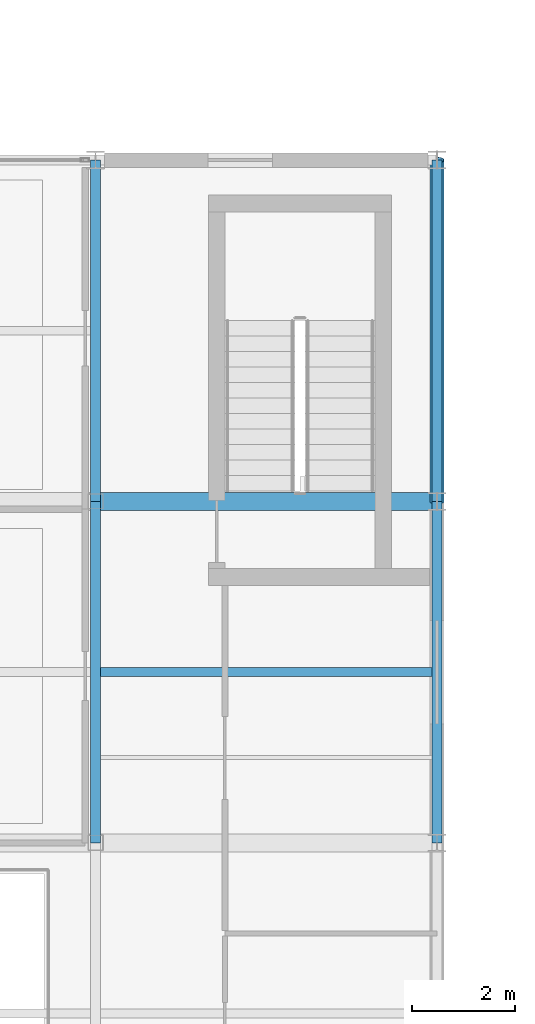
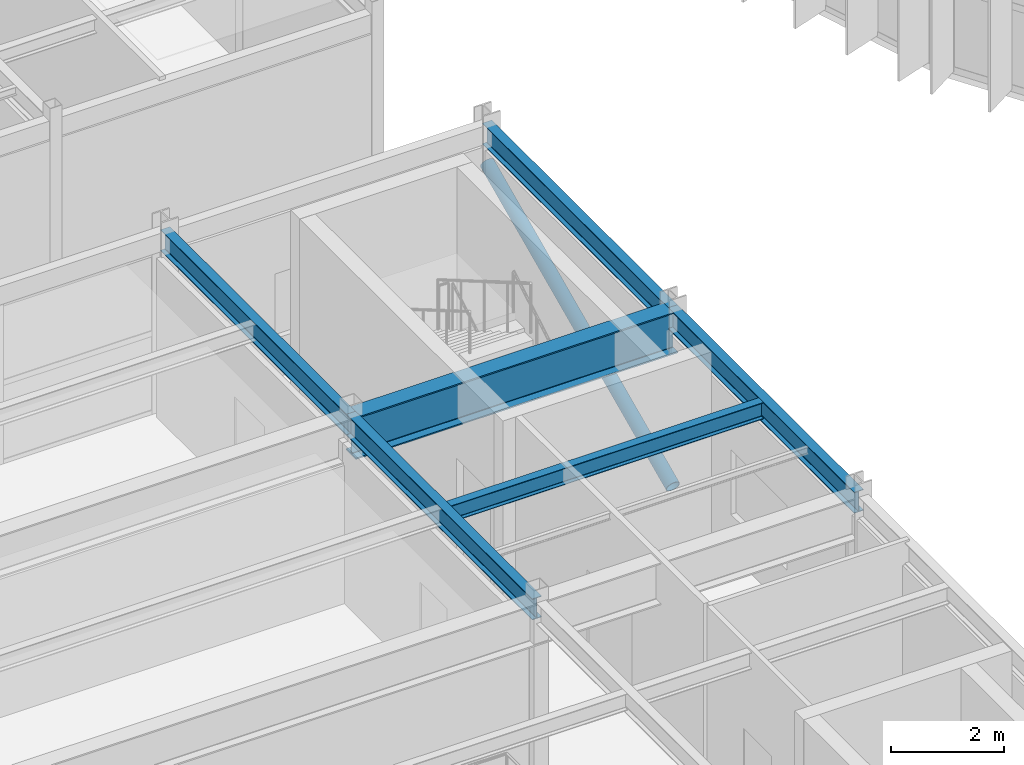
# One storey, part 22 of 148: 6 beams, 1 member.
"""IFC4 building model written with IfcOpenShell, lengths in metres."""

from ifc_helpers import new_model, si_unit, direction, frame, origin, origin_2d, place, context, subcontext, project, spatial, hollow_circle, i_section, extrude, material, material_profile, profile_set, type_object, element, save


model = new_model("IFC4")

# Units and contexts
model_context = context("Model", 3, precision=1e-05, world=origin(), true_north=direction((0.0, 1.0)))
body_context = subcontext(model_context, "Body", "Model", "MODEL_VIEW")
ifc_project = project(units=[si_unit("LENGTHUNIT", "METRE"), si_unit("AREAUNIT", "SQUARE_METRE"), si_unit("VOLUMEUNIT", "CUBIC_METRE"), si_unit("PLANEANGLEUNIT", "RADIAN"), si_unit("MASSUNIT", "GRAM", prefix="KILO")], contexts=[model_context])

# Site, building, storey
site_placement = place(None, origin())
site = spatial("IfcSite", under=ifc_project, at=site_placement, CompositionType="ELEMENT")
building_placement = place(site_placement, origin())
building = spatial("IfcBuilding", under=site, at=building_placement, Name="Karori Crest Natural Sciences Institute", CompositionType="ELEMENT")
storey_placement = place(building_placement, frame((0.0, 0.0, 4.89990234375)))
storey = spatial("IfcBuildingStorey", under=building, at=storey_placement, Name="L01", CompositionType="ELEMENT", Elevation=4.89990234375)

# Beams
ifc_material_1 = material(Name="Structural steel AS/NZS 3679.1 Grade 350", Category="steel")
ifc_material_profile_1 = material_profile(ifc_material_1, i_section(OverallWidth=0.35009765625, OverallDepth=0.907958984375, WebThickness=0.01611328125, FlangeThickness=0.028076171875, FilletRadius=0.01611328125, at=origin_2d()), Name="900WB257")
ifc_profile_set_1 = profile_set([ifc_material_profile_1], Name="Structural steel AS/NZS 3679.1 Grade 350")
beam_type_1 = type_object("IfcBeamType", Name="BT-01", PredefinedType="BEAM", material=ifc_profile_set_1)
beam_1_placement = place(storey_placement, frame((20.60009765625, 20.60009765625, 3.466064453125), z_axis=(1.0, 0.0, 0.0), x_axis=(0.0, 1.0, 0.0)))
element("IfcBeam", 1, at=beam_1_placement, inside=storey, type_object=beam_type_1, Name="Beam B-0820", PredefinedType="BEAM", context=body_context, shape_type="SweptSolid", body=[
    extrude(i_section(OverallWidth=0.35009765625, OverallDepth=0.907958984375, WebThickness=0.01611328125, FlangeThickness=0.028076171875, FilletRadius=0.01611328125, at=origin_2d()), origin(), (0.0, 0.0, 1.0), 6.599853515625),
])
ifc_material_profile_2 = material_profile(ifc_material_1, i_section(OverallWidth=0.19091796875, OverallDepth=0.4599609375, WebThickness=0.010009765625, FlangeThickness=0.01611328125, FilletRadius=0.010986328125, at=origin_2d()), Name="460UB82.1")
ifc_profile_set_2 = profile_set([ifc_material_profile_2], Name="Structural steel AS/NZS 3679.1 Grade 350")
beam_type_2 = type_object("IfcBeamType", Name="BT-06", PredefinedType="BEAM", material=ifc_profile_set_2)
beam_2_placement = place(storey_placement, frame((20.60009765625, 14.0, 3.690185546875), z_axis=(0.0, 1.0, 0.0), x_axis=(-1.0, 0.0, 0.0)))
element("IfcBeam", 2, at=beam_2_placement, inside=storey, type_object=beam_type_2, Name="Beam B-0829", PredefinedType="BEAM", context=body_context, shape_type="SweptSolid", body=[
    extrude(i_section(OverallWidth=0.19091796875, OverallDepth=0.4599609375, WebThickness=0.010009765625, FlangeThickness=0.01611328125, FilletRadius=0.010986328125, at=origin_2d()), origin(), (0.0, 0.0, 1.0), 6.60009765625),
])
beam_3_placement = place(storey_placement, frame((20.60009765625, 20.60009765625, 3.690185546875), z_axis=(0.0, 1.0, 0.0), x_axis=(-1.0, 0.0, 0.0)))
element("IfcBeam", 3, at=beam_3_placement, inside=storey, type_object=beam_type_2, Name="Beam B-0830", PredefinedType="BEAM", context=body_context, shape_type="SweptSolid", body=[
    extrude(i_section(OverallWidth=0.19091796875, OverallDepth=0.4599609375, WebThickness=0.010009765625, FlangeThickness=0.01611328125, FilletRadius=0.010986328125, at=origin_2d()), origin(), (0.0, 0.0, 1.0), 6.599853515625),
])
ifc_material_profile_3 = material_profile(ifc_material_1, i_section(OverallWidth=0.19091796875, OverallDepth=0.4599609375, WebThickness=0.010009765625, FlangeThickness=0.01611328125, FilletRadius=0.010986328125, at=origin_2d()), Name="460UB82.1")
ifc_profile_set_3 = profile_set([ifc_material_profile_3], Name="Structural steel AS/NZS 3679.1 Grade 350")
beam_type_3 = type_object("IfcBeamType", Name="BT-06-EL", PredefinedType="BEAM", material=ifc_profile_set_3)
beam_4_placement = place(storey_placement, frame((27.199951171875, 14.0, 3.690185546875), z_axis=(0.0, 1.0, 0.0), x_axis=(-1.0, 0.0, 0.0)))
element("IfcBeam", 4, at=beam_4_placement, inside=storey, type_object=beam_type_3, Name="Beam B-0833", PredefinedType="BEAM", context=body_context, shape_type="SweptSolid", body=[
    extrude(i_section(OverallWidth=0.19091796875, OverallDepth=0.4599609375, WebThickness=0.010009765625, FlangeThickness=0.01611328125, FilletRadius=0.010986328125, at=origin_2d()), origin(), (0.0, 0.0, 1.0), 6.60009765625),
])
beam_5_placement = place(storey_placement, frame((27.199951171875, 20.60009765625, 3.690185546875), z_axis=(0.0, 1.0, 0.0), x_axis=(-1.0, 0.0, 0.0)))
element("IfcBeam", 5, at=beam_5_placement, inside=storey, type_object=beam_type_3, Name="Beam B-0834", PredefinedType="BEAM", context=body_context, shape_type="SweptSolid", body=[
    extrude(i_section(OverallWidth=0.19091796875, OverallDepth=0.4599609375, WebThickness=0.010009765625, FlangeThickness=0.01611328125, FilletRadius=0.010986328125, at=origin_2d()), origin(), (0.0, 0.0, 1.0), 6.599853515625),
])
ifc_material_profile_4 = material_profile(ifc_material_1, i_section(OverallWidth=0.172119140625, OverallDepth=0.35888671875, WebThickness=0.008056640625, FlangeThickness=0.012939453125, FilletRadius=0.010986328125, at=origin_2d()), Name="360UB56.7")
ifc_profile_set_4 = profile_set([ifc_material_profile_4], Name="Structural steel AS/NZS 3679.1 Grade 350")
beam_type_4 = type_object("IfcBeamType", Name="BT-08", PredefinedType="BEAM", material=ifc_profile_set_4)
beam_6_placement = place(storey_placement, frame((20.695556640625, 17.300048828125, 3.740478515625), z_axis=(1.0, 0.0, 0.0), x_axis=(0.0, 1.0, 0.0)))
element("IfcBeam", 6, at=beam_6_placement, inside=storey, type_object=beam_type_4, Name="Beam B-0841", PredefinedType="BEAM", context=body_context, shape_type="SweptSolid", body=[
    extrude(i_section(OverallWidth=0.172119140625, OverallDepth=0.35888671875, WebThickness=0.008056640625, FlangeThickness=0.012939453125, FilletRadius=0.010986328125, at=origin_2d()), origin(), (0.0, 0.0, 1.0), 6.408935546875),
])

# Member
ifc_material_2 = material(Name="Hollow structural steel AS/NZS 1163 Grade C350", Category="steel")
ifc_material_profile_5 = material_profile(ifc_material_2, hollow_circle(Radius=0.136474609375, WallThickness=0.00927734375, at=origin_2d()), Name="CHS273.0x9.3")
ifc_profile_set_5 = profile_set([ifc_material_profile_5], Name="Hollow structural steel AS/NZS 1163 Grade C350")
member_type = type_object("IfcMemberType", Name="MT-01-EL", PredefinedType="BRACE", material=ifc_profile_set_5)
member_placement = place(storey_placement, frame((27.199951171875, 20.60009765625, 0.010009765625), z_axis=(0.0, 0.909728074664, 0.415204564244), x_axis=(-1.0, 0.0, 0.0)))
element("IfcMember", 7, at=member_placement, inside=storey, type_object=member_type, Name="Diagonal Brace M-0246", PredefinedType="BRACE", context=body_context, shape_type="SweptSolid", body=[
    extrude(hollow_circle(Radius=0.136474609375, WallThickness=0.00927734375, at=origin_2d()), origin(), (0.0, 0.0, 1.0), 7.254638671875),
])

save(model, "model.ifc")
